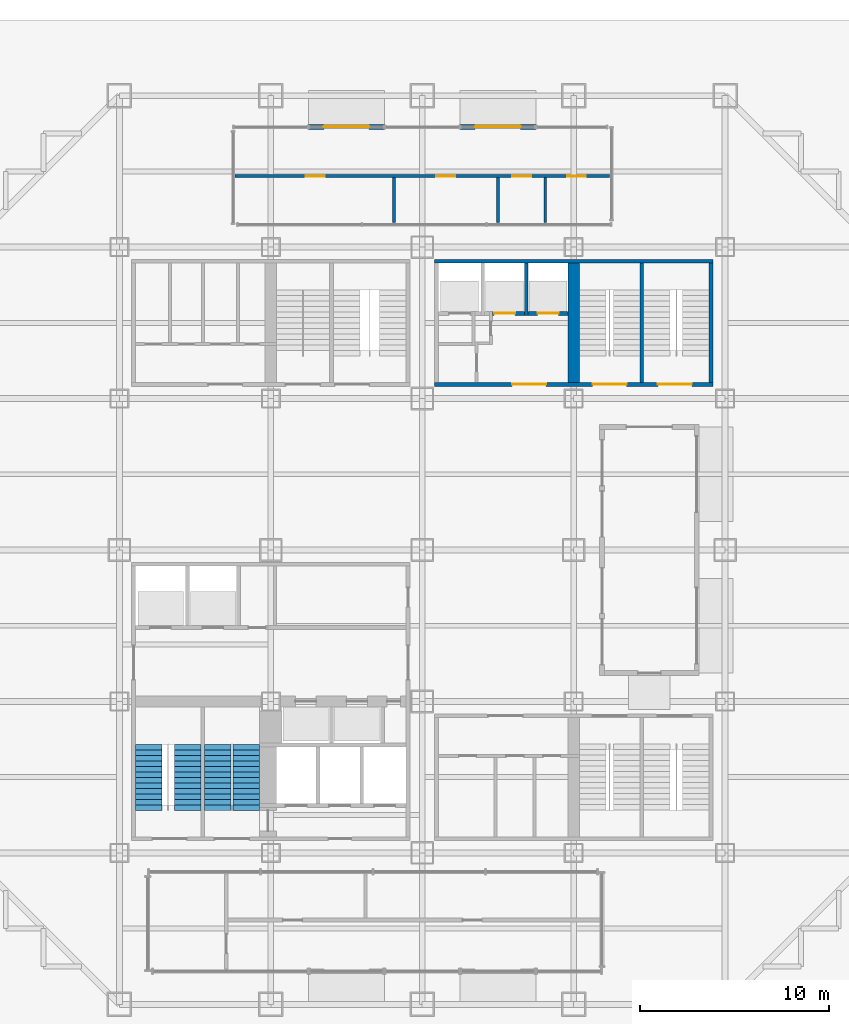
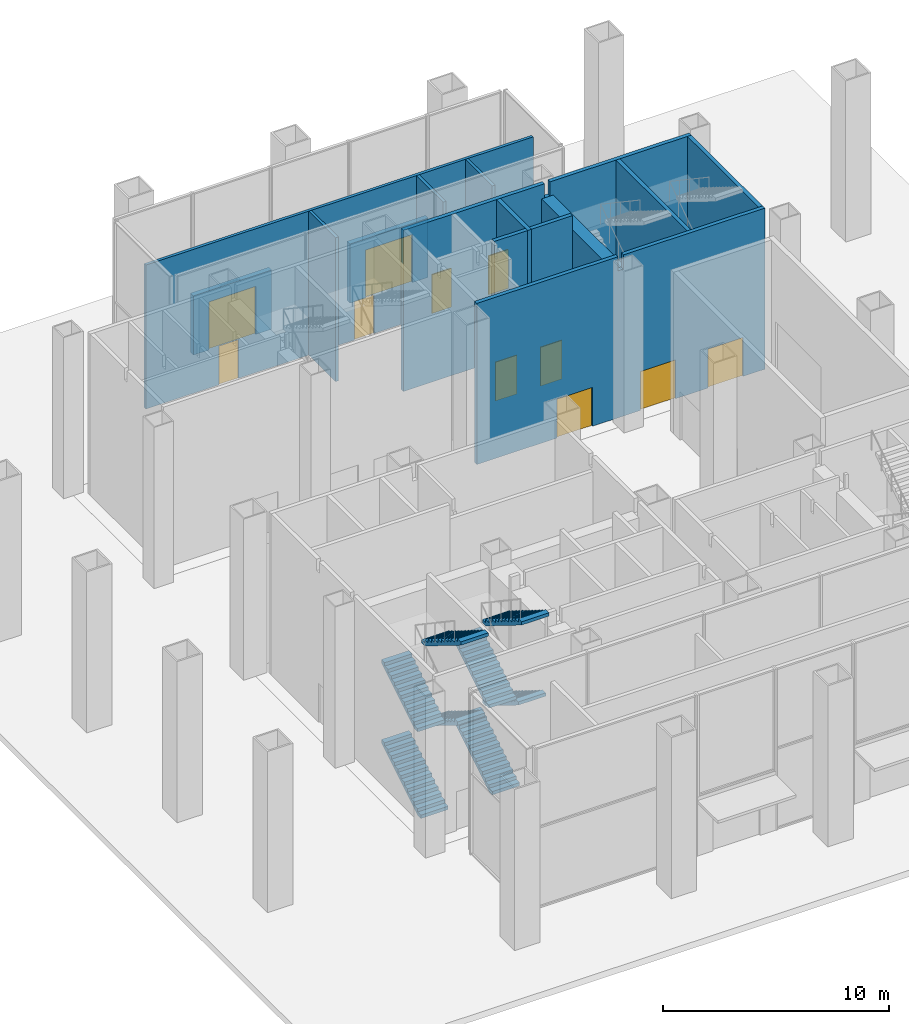
# One storey, part 10 of 14: 14 walls, 11 doors, 8 stair flights, 11 openings, 2 elements without a shape of their own.
"""IFC4 building model written with IfcOpenShell, lengths in metres."""

import ifcopenshell
import ifcopenshell.guid

model = None  # the IFC model being written
_history = None  # IfcOwnerHistory: only IFC2X3 demands one
_inside = {}  # id of a spatial element -> (the spatial element, [elements in it])
_under = {}  # id of a project, library or spatial element -> (it, [spatial elements below it])
_declared = {}  # id of a project -> (the project, [libraries it declares])
_typed = {}  # id of a type object -> (the type object, [elements of that type])
_made_of = {}  # id of a material, layer set ... -> (it, [elements and type objects made of it])


def new_model(schema):
    """Start an empty IFC model of exactly this schema.

    Asked for "IFC4X3", IfcOpenShell would pick the latest addendum, in which some entities
    have other attributes; the version numbers below select the first issue.
    IFC2X3 requires an IfcOwnerHistory on every rooted entity: one is made here for all.
    """
    global model, _history
    if schema == "IFC4X3":
        model = ifcopenshell.file(schema_version=(4, 3, 0, 0))
    else:
        model = ifcopenshell.file(schema=schema)
    _inside.clear()
    _under.clear()
    _declared.clear()
    _typed.clear()
    _made_of.clear()
    _history = None
    if model.schema == "IFC2X3":
        org = make("IfcOrganization", Name="unknown")
        user = make(
            "IfcPersonAndOrganization",
            ThePerson=make("IfcPerson", FamilyName="unknown"),
            TheOrganization=org,
        )
        app = make(
            "IfcApplication",
            ApplicationDeveloper=org,
            Version="unknown",
            ApplicationFullName="unknown",
            ApplicationIdentifier="unknown",
        )
        _history = make(
            "IfcOwnerHistory",
            OwningUser=user,
            OwningApplication=app,
            ChangeAction="ADDED",
            CreationDate=0,
        )
    return model


def make(cls, **values):
    """One entity of the class cls with the attributes given. An attribute that is None is left unset."""
    return model.create_entity(
        cls, **{name: value for name, value in values.items() if value is not None}
    )


def rooted(cls, **values):
    """An entity with a GlobalId (a new one), such as an element, a storey or a relation."""
    return make(cls, GlobalId=ifcopenshell.guid.new(), OwnerHistory=_history, **values)


def si_unit(unit_type, name, prefix=None):
    """IfcSIUnit, for example si_unit("LENGTHUNIT", "METRE", prefix="MILLI")."""
    return make("IfcSIUnit", UnitType=unit_type, Prefix=prefix, Name=name)


def assignment(units):
    """IfcUnitAssignment: the units of a project."""
    return None if units is None else make("IfcUnitAssignment", Units=units)


def point(xyz):
    """IfcCartesianPoint."""
    return None if xyz is None else make("IfcCartesianPoint", Coordinates=xyz)


def direction(xyz):
    """IfcDirection."""
    return None if xyz is None else make("IfcDirection", DirectionRatios=xyz)


def frame(location, z_axis=None, x_axis=None):
    """IfcAxis2Placement3D, a coordinate frame: its origin and axes. An axis left out is left unset."""
    return make(
        "IfcAxis2Placement3D",
        Location=point(location),
        Axis=direction(z_axis),
        RefDirection=direction(x_axis),
    )


def frame_2d(location, x_axis=None):
    """IfcAxis2Placement2D, a coordinate frame in the plane: its origin and x axis."""
    return make(
        "IfcAxis2Placement2D", Location=point(location), RefDirection=direction(x_axis)
    )


def origin():
    """The frame at (0, 0, 0) with its axes left unset."""
    return frame((0.0, 0.0, 0.0))


def place(relative_to, where):
    """IfcLocalPlacement: puts the frame where relative to a parent placement (None: the world)."""
    return make(
        "IfcLocalPlacement", PlacementRelTo=relative_to, RelativePlacement=where
    )


def context(
    kind, dimensions, precision=None, world=None, true_north=None, identifier=None
):
    """IfcGeometricRepresentationContext, for example the 3D "Model" context."""
    return make(
        "IfcGeometricRepresentationContext",
        ContextIdentifier=identifier,
        ContextType=kind,
        CoordinateSpaceDimension=dimensions,
        Precision=precision,
        WorldCoordinateSystem=world,
        TrueNorth=true_north,
    )


def subcontext(parent, identifier, kind, view, scale=None):
    """IfcGeometricRepresentationSubContext, for example "Body" below "Model"."""
    return make(
        "IfcGeometricRepresentationSubContext",
        ContextIdentifier=identifier,
        ContextType=kind,
        ParentContext=parent,
        TargetScale=scale,
        TargetView=view,
    )


def project(units=None, contexts=None):
    """IfcProject with its units and contexts."""
    return rooted(
        "IfcProject",
        Name="project",
        RepresentationContexts=contexts,
        UnitsInContext=assignment(units),
    )


def spatial(cls, under=None, at=None, **own):
    """A site, building, storey or space (cls), placed at a placement, below another one or the project."""
    s = rooted(cls, ObjectPlacement=at, **own)
    if under is not None:
        _under.setdefault(under.id(), (under, []))[1].append(s)
    return s


def polyline(points):
    """IfcPolyline through the points."""
    return make("IfcPolyline", Points=[point(p) for p in points])


def profile(cls, at=None, kind="AREA", **sizes):
    """A parametric profile (cls). Its sizes go by their IFC names, for example OverallWidth=200.0."""
    return make(cls, ProfileType=kind, Position=at, **sizes)


def rectangle(**sizes):
    """IfcRectangleProfileDef."""
    return profile("IfcRectangleProfileDef", **sizes)


def outline(outer, holes=None, kind="AREA"):
    """IfcArbitraryClosedProfileDef: a profile drawn as a closed curve; with holes, ...WithVoids."""
    if holes is None:
        return make("IfcArbitraryClosedProfileDef", ProfileType=kind, OuterCurve=outer)
    return make(
        "IfcArbitraryProfileDefWithVoids",
        ProfileType=kind,
        OuterCurve=outer,
        InnerCurves=holes,
    )


def extrude(swept, where, along, depth):
    """IfcExtrudedAreaSolid: the profile swept, set in the frame where, extruded along a direction by depth."""
    return make(
        "IfcExtrudedAreaSolid",
        SweptArea=swept,
        Position=where,
        ExtrudedDirection=direction(along),
        Depth=depth,
    )


def shape(context_of_items, identifier, shape_type, items):
    """IfcShapeRepresentation: the items that make up one representation, for example the "Body"."""
    return make(
        "IfcShapeRepresentation",
        ContextOfItems=context_of_items,
        RepresentationIdentifier=identifier,
        RepresentationType=shape_type,
        Items=items,
    )


def material(Name=None, Category=None):
    """IfcMaterial."""
    return make("IfcMaterial", Name=Name, Category=Category)


def layer(
    of_material, thickness, ventilated=None, Name=None, Category=None, Priority=None
):
    """IfcMaterialLayer: one layer of a wall or slab, of a material (None: an air gap)."""
    return make(
        "IfcMaterialLayer",
        Material=of_material,
        LayerThickness=thickness,
        IsVentilated=ventilated,
        Name=Name,
        Category=Category,
        Priority=Priority,
    )


def layer_set(layers, Name=None):
    """IfcMaterialLayerSet."""
    return make("IfcMaterialLayerSet", MaterialLayers=layers, LayerSetName=Name)


def made_of(thing, what):
    """Note that an element or type object is made of a material, layer set ...; save() writes the relation."""
    if what is not None:
        _made_of.setdefault(what.id(), (what, []))[1].append(thing)
    return thing


def type_object(cls, material=None, **own):
    """A type object (cls), such as IfcWallType, which elements share."""
    return made_of(rooted(cls, **own), material)


def element(
    cls,
    number,
    at=None,
    inside=None,
    cuts=None,
    type_object=None,
    material=None,
    context=None,
    identifier="Body",
    shape_type=None,
    held_by="IfcProductDefinitionShape",
    body=None,
    shapes=None,
    **own,
):
    """One element of the class cls, such as IfcWall. Its Tag is "e" and its number.

    at: its placement. inside: the storey or other place that contains it. cuts: it is an
    opening in that element (IfcRelVoidsElement). A single representation is given by context,
    identifier, shape_type and body (its items); several are given by shapes. held_by: the class
    of the entity that holds the representations. save() writes the other relations.
    """
    e = rooted(cls, Tag="e%d" % number, ObjectPlacement=at, **own)
    if body is not None:
        shapes = [shape(context, identifier, shape_type, body)]
    if shapes is not None:
        e.Representation = make(held_by, Representations=shapes)
    if inside is not None:
        _inside.setdefault(inside.id(), (inside, []))[1].append(e)
    if cuts is not None:
        rooted(
            "IfcRelVoidsElement", RelatingBuildingElement=cuts, RelatedOpeningElement=e
        )
    if type_object is not None:
        _typed.setdefault(type_object.id(), (type_object, []))[1].append(e)
    return made_of(e, material)


def fill(opening, filler):
    """IfcRelFillsElement: the door or window that sits in an opening."""
    return rooted(
        "IfcRelFillsElement",
        RelatingOpeningElement=opening,
        RelatedBuildingElement=filler,
    )


def aggregate(whole, parts):
    """IfcRelAggregates: a whole, such as a stair, and the parts it consists of."""
    return rooted("IfcRelAggregates", RelatingObject=whole, RelatedObjects=parts)


def save(model, path):
    """Write the relations noted so far, then the file.

    IfcRelAggregates (storeys below a building ...), IfcRelContainedInSpatialStructure (elements
    in a storey), IfcRelDefinesByType, IfcRelAssociatesMaterial and IfcRelDeclares: one each for
    every whole, place, type object, material and project.
    """
    for whole, parts in _under.values():
        aggregate(whole, parts)
    for where, things in _inside.values():
        rooted(
            "IfcRelContainedInSpatialStructure",
            RelatedElements=things,
            RelatingStructure=where,
        )
    for kind, things in _typed.values():
        rooted("IfcRelDefinesByType", RelatedObjects=things, RelatingType=kind)
    for what, things in _made_of.values():
        rooted("IfcRelAssociatesMaterial", RelatedObjects=things, RelatingMaterial=what)
    for by, libraries in _declared.values():
        rooted("IfcRelDeclares", RelatingContext=by, RelatedDefinitions=libraries)
    model.write(path)


model = new_model("IFC4")

# Units and contexts
model_context = context("Model", 3, precision=1e-05, world=origin(), true_north=direction((0.0, 1.0)))
body_context = subcontext(model_context, "Body", "Model", "MODEL_VIEW")
ifc_project = project(units=[si_unit("LENGTHUNIT", "METRE"), si_unit("AREAUNIT", "SQUARE_METRE"), si_unit("VOLUMEUNIT", "CUBIC_METRE"), si_unit("PLANEANGLEUNIT", "RADIAN"), si_unit("MASSUNIT", "GRAM", prefix="KILO")], contexts=[model_context])

# Site, building, storey
site_placement = place(None, origin())
site = spatial("IfcSite", under=ifc_project, at=site_placement, CompositionType="ELEMENT")
building_placement = place(site_placement, origin())
building = spatial("IfcBuilding", under=site, at=building_placement, Name="Immortelle Media Tower", CompositionType="ELEMENT")
storey_placement = place(building_placement, origin())
storey = spatial("IfcBuildingStorey", under=building, at=storey_placement, Name="G", CompositionType="ELEMENT", Elevation=0.0)

# Wall, opening, door
ifc_material_1 = material(Name="Fire-rated gypsum board", Category="gypsum")
ifc_layer_1 = layer(ifc_material_1, 0.03759765625)
ifc_material_2 = material(Name="Steel ASTM A653 SS Gr 50 stud frame with mineral wool", Category="steel")
ifc_layer_2 = layer(ifc_material_2, 0.125)
ifc_layer_3 = layer(ifc_material_1, 0.03759765625)
ifc_layer_set_1 = layer_set([ifc_layer_1, ifc_layer_2, ifc_layer_3], Name="Steel ASTM A653 SS Gr 50 stud frame with mineral wool")
wall_type_1 = type_object("IfcWallType", Name="Core shaft wall 200", PredefinedType="PARTITIONING", material=ifc_layer_set_1)
wall_1_placement = place(storey_placement, frame((27.699951171875, 36.5, 0.0), z_axis=(0.0, 0.0, 1.0), x_axis=(1.0, 0.0, 0.0)))
wall_1 = element("IfcWall", 1, at=wall_1_placement, inside=storey, type_object=wall_type_1, Name="Core shaft wall NE", PredefinedType="PARTITIONING", context=body_context, shape_type="SweptSolid", body=[
    extrude(rectangle(XDim=1.699951171875, YDim=0.199951171875, at=frame_2d((0.85009765625, 0.0))), origin(), (0.0, 0.0, 1.0), 8.699951171875),
])
opening_1_placement = place(wall_1_placement, frame((0.10009765625, 0.0, 0.0)))
opening_1 = element("IfcOpeningElement", 2, at=opening_1_placement, cuts=wall_1, Name="Opening LD", PredefinedType="OPENING", context=body_context, shape_type="SweptSolid", body=[
    extrude(rectangle(XDim=1.10009765625, YDim=2.10009765625, at=frame_2d((0.550048828125, 1.050048828125))), frame((0.0, 0.10986328125, 0.0), z_axis=(0.0, -1.0, 0.0), x_axis=(1.0, 0.0, 0.0)), (0.0, 0.0, 1.0), 0.219970703125),
])
ifc_material_3 = material(Name="Stainless steel AISI 304", Category="steel")
door_type_1 = type_object("IfcDoorType", Name="Landing door 1100 x 2100", OperationType="SLIDING_TO_LEFT", PredefinedType="NOTDEFINED", material=ifc_material_3)
door_1_placement = place(opening_1_placement, origin())
door_1 = element("IfcDoor", 3, at=door_1_placement, inside=storey, type_object=door_type_1, Name="Landing door LR2 G", OperationType="SLIDING_TO_LEFT", OverallHeight=2.10009765625, OverallWidth=1.10009765625, PredefinedType="NOTDEFINED", context=body_context, shape_type="SweptSolid", body=[
    extrude(rectangle(XDim=1.10009765625, YDim=2.10009765625, at=frame_2d((0.550048828125, 1.050048828125))), frame((0.0, 0.02490234375, 0.0), z_axis=(0.0, -1.0, 0.0), x_axis=(1.0, 0.0, 0.0)), (0.0, 0.0, 1.0), 0.050048828125),
])
fill(opening_1, door_1)

# Wall
wall_2_placement = place(storey_placement, frame((29.5, 36.39990234375, 0.0), z_axis=(0.0, 0.0, 1.0), x_axis=(0.0, 1.0, 0.0)))
element("IfcWall", 4, at=wall_2_placement, inside=storey, type_object=wall_type_1, Name="Core shaft wall NE", PredefinedType="PARTITIONING", context=body_context, shape_type="SweptSolid", body=[
    extrude(rectangle(XDim=2.75, YDim=0.199951171875, at=frame_2d((1.375, 0.0))), origin(), (0.0, 0.0, 1.0), 8.699951171875),
])

# Wall, opening, door
wall_3_placement = place(storey_placement, frame((29.60009765625, 36.5, 0.0), z_axis=(0.0, 0.0, 1.0), x_axis=(1.0, 0.0, 0.0)))
wall_3 = element("IfcWall", 5, at=wall_3_placement, inside=storey, type_object=wall_type_1, Name="Core shaft wall NE", PredefinedType="PARTITIONING", context=body_context, shape_type="SweptSolid", body=[
    extrude(rectangle(XDim=2.099853515625, YDim=0.199951171875, at=frame_2d((1.0498046875, 0.0))), origin(), (0.0, 0.0, 1.0), 8.699951171875),
])
opening_2_placement = place(wall_3_placement, frame((0.5, 0.0, 0.0)))
opening_2 = element("IfcOpeningElement", 6, at=opening_2_placement, cuts=wall_3, Name="Opening LD", PredefinedType="OPENING", context=body_context, shape_type="SweptSolid", body=[
    extrude(rectangle(XDim=1.10009765625, YDim=2.10009765625, at=frame_2d((0.550048828125, 1.050048828125))), frame((0.0, 0.10986328125, 0.0), z_axis=(0.0, -1.0, 0.0), x_axis=(1.0, 0.0, 0.0)), (0.0, 0.0, 1.0), 0.219970703125),
])
door_2_placement = place(opening_2_placement, origin())
door_2 = element("IfcDoor", 7, at=door_2_placement, inside=storey, type_object=door_type_1, Name="Landing door LR3 G", OperationType="SLIDING_TO_LEFT", OverallHeight=2.10009765625, OverallWidth=1.10009765625, PredefinedType="NOTDEFINED", context=body_context, shape_type="SweptSolid", body=[
    extrude(rectangle(XDim=1.10009765625, YDim=2.10009765625, at=frame_2d((0.550048828125, 1.050048828125))), frame((0.0, 0.02490234375, 0.0), z_axis=(0.0, -1.0, 0.0), x_axis=(1.0, 0.0, 0.0)), (0.0, 0.0, 1.0), 0.050048828125),
])
fill(opening_2, door_2)

# Wall, openings, doors
ifc_material_4 = material(Name="Gypsum board", Category="gypsum")
ifc_layer_4 = layer(ifc_material_4, 0.012451171875)
ifc_layer_5 = layer(ifc_material_2, 0.125)
ifc_layer_6 = layer(ifc_material_4, 0.012451171875)
ifc_layer_set_2 = layer_set([ifc_layer_4, ifc_layer_5, ifc_layer_6], Name="Steel ASTM A653 SS Gr 50 stud frame with mineral wool")
wall_type_2 = type_object("IfcWallType", Name="Partition 150", PredefinedType="PARTITIONING", material=ifc_layer_set_2)
wall_4_placement = place(storey_placement, frame((14.10498046875, 43.75, 0.0), z_axis=(0.0, 0.0, 1.0), x_axis=(1.0, 0.0, 0.0)))
wall_4 = element("IfcWall", 8, at=wall_4_placement, inside=storey, type_object=wall_type_2, Name="Partition G-3", PredefinedType="PARTITIONING", context=body_context, shape_type="SweptSolid", body=[
    extrude(rectangle(XDim=19.7900390625, YDim=0.14990234375, at=frame_2d((9.89501953125, 0.0))), origin(), (0.0, 0.0, 1.0), 7.77294921875),
])
opening_3_placement = place(wall_4_placement, frame((4.7451171875, 0.0, 0.0), z_axis=(0.0, 0.0, 1.0), x_axis=(-1.0, 0.0, 0.0)))
opening_3 = element("IfcOpeningElement", 9, at=opening_3_placement, cuts=wall_4, Name="Opening G-X04", PredefinedType="OPENING", context=body_context, shape_type="SweptSolid", body=[
    extrude(rectangle(XDim=1.0, YDim=2.10009765625, at=frame_2d((0.5, 1.050048828125))), frame((0.0, 0.0849609375, 0.0), z_axis=(0.0, -1.0, 0.0), x_axis=(1.0, 0.0, 0.0)), (0.0, 0.0, 1.0), 0.169921875),
])
opening_4_placement = place(wall_4_placement, frame((11.64501953125, 0.0, 0.0), z_axis=(0.0, 0.0, 1.0), x_axis=(-1.0, 0.0, 0.0)))
opening_4 = element("IfcOpeningElement", 10, at=opening_4_placement, cuts=wall_4, Name="Opening G-X05", PredefinedType="OPENING", context=body_context, shape_type="SweptSolid", body=[
    extrude(rectangle(XDim=1.0, YDim=2.10009765625, at=frame_2d((0.5, 1.050048828125))), frame((0.0, 0.0849609375, 0.0), z_axis=(0.0, -1.0, 0.0), x_axis=(1.0, 0.0, 0.0)), (0.0, 0.0, 1.0), 0.169921875),
])
opening_5_placement = place(wall_4_placement, frame((14.64501953125, 0.0, 0.0)))
opening_5 = element("IfcOpeningElement", 11, at=opening_5_placement, cuts=wall_4, Name="Opening G-X06", PredefinedType="OPENING", context=body_context, shape_type="SweptSolid", body=[
    extrude(rectangle(XDim=1.0, YDim=2.10009765625, at=frame_2d((0.5, 1.050048828125))), frame((0.0, 0.0849609375, 0.0), z_axis=(0.0, -1.0, 0.0), x_axis=(1.0, 0.0, 0.0)), (0.0, 0.0, 1.0), 0.169921875),
])
opening_6_placement = place(wall_4_placement, frame((18.544921875, 0.0, 0.0), z_axis=(0.0, 0.0, 1.0), x_axis=(-1.0, 0.0, 0.0)))
opening_6 = element("IfcOpeningElement", 12, at=opening_6_placement, cuts=wall_4, Name="Opening G-X07", PredefinedType="OPENING", context=body_context, shape_type="SweptSolid", body=[
    extrude(rectangle(XDim=1.0, YDim=2.10009765625, at=frame_2d((0.5, 1.050048828125))), frame((0.0, 0.0849609375, 0.0), z_axis=(0.0, -1.0, 0.0), x_axis=(1.0, 0.0, 0.0)), (0.0, 0.0, 1.0), 0.169921875),
])
ifc_material_5 = material(Name="Timber door leaf, galvanised steel frame ASTM A653", Category="steel")
door_type_2 = type_object("IfcDoorType", Name="Door 1000 x 2100", OperationType="NOTDEFINED", PredefinedType="DOOR", material=ifc_material_5)
door_3_placement = place(opening_3_placement, origin())
door_3 = element("IfcDoor", 13, at=door_3_placement, inside=storey, type_object=door_type_2, Name="Door G-X04", OperationType="SINGLE_SWING_LEFT", OverallHeight=2.10009765625, OverallWidth=1.0, PredefinedType="DOOR", context=body_context, shape_type="SweptSolid", body=[
    extrude(rectangle(XDim=1.0, YDim=2.10009765625, at=frame_2d((0.5, 1.050048828125))), frame((0.0, 0.02490234375, 0.0), z_axis=(0.0, -1.0, 0.0), x_axis=(1.0, 0.0, 0.0)), (0.0, 0.0, 1.0), 0.050048828125),
])
fill(opening_3, door_3)
door_4_placement = place(opening_4_placement, origin())
door_4 = element("IfcDoor", 14, at=door_4_placement, inside=storey, type_object=door_type_2, Name="Door G-X05", OperationType="SINGLE_SWING_LEFT", OverallHeight=2.10009765625, OverallWidth=1.0, PredefinedType="DOOR", context=body_context, shape_type="SweptSolid", body=[
    extrude(rectangle(XDim=1.0, YDim=2.10009765625, at=frame_2d((0.5, 1.050048828125))), frame((0.0, 0.02490234375, 0.0), z_axis=(0.0, -1.0, 0.0), x_axis=(1.0, 0.0, 0.0)), (0.0, 0.0, 1.0), 0.050048828125),
])
fill(opening_4, door_4)
door_5_placement = place(opening_5_placement, origin())
door_5 = element("IfcDoor", 15, at=door_5_placement, inside=storey, type_object=door_type_2, Name="Door G-X06", OperationType="SINGLE_SWING_RIGHT", OverallHeight=2.10009765625, OverallWidth=1.0, PredefinedType="DOOR", context=body_context, shape_type="SweptSolid", body=[
    extrude(rectangle(XDim=1.0, YDim=2.10009765625, at=frame_2d((0.5, 1.050048828125))), frame((0.0, 0.02490234375, 0.0), z_axis=(0.0, -1.0, 0.0), x_axis=(1.0, 0.0, 0.0)), (0.0, 0.0, 1.0), 0.050048828125),
])
fill(opening_5, door_5)
door_6_placement = place(opening_6_placement, origin())
door_6 = element("IfcDoor", 16, at=door_6_placement, inside=storey, type_object=door_type_2, Name="Door G-X07", OperationType="SINGLE_SWING_RIGHT", OverallHeight=2.10009765625, OverallWidth=1.0, PredefinedType="DOOR", context=body_context, shape_type="SweptSolid", body=[
    extrude(rectangle(XDim=1.0, YDim=2.10009765625, at=frame_2d((0.5, 1.050048828125))), frame((0.0, 0.02490234375, 0.0), z_axis=(0.0, -1.0, 0.0), x_axis=(1.0, 0.0, 0.0)), (0.0, 0.0, 1.0), 0.050048828125),
])
fill(opening_6, door_6)

# Walls
for number, where, z_axis, x_axis, name in (
    (17, (22.5, 41.304931640625, 0.0), (0.0, 0.0, 1.0), (0.0, 1.0, 0.0), "Partition G-5"),
    (18, (28.0, 41.304931640625, 0.0), (0.0, 0.0, 1.0), (0.0, 1.0, 0.0), "Partition G-6"),
    (19, (30.5, 41.304931640625, 0.0), (0.0, 0.0, 1.0), (0.0, 1.0, 0.0), "Partition G-7"),
):
    element("IfcWall", number, at=place(storey_placement, frame(where, z_axis=z_axis, x_axis=x_axis)), inside=storey, type_object=wall_type_2, Name=name, PredefinedType="PARTITIONING", context=body_context, shape_type="SweptSolid", body=[
        extrude(rectangle(XDim=2.3701171875, YDim=0.14990234375, at=frame_2d((1.18505859375, 0.0))), origin(), (0.0, 0.0, 1.0), 7.77294921875),
    ])

# Wall, opening, door
ifc_material_6 = material(Name="Pale aluminium cladding panel", Category="aluminium")
ifc_layer_7 = layer(ifc_material_6, 0.030029296875)
ifc_layer_8 = layer(ifc_material_2, 0.20751953125)
ifc_material_7 = material(Name="Moisture-resistant gypsum board", Category="gypsum")
ifc_layer_9 = layer(ifc_material_7, 0.012451171875)
ifc_layer_set_3 = layer_set([ifc_layer_7, ifc_layer_8, ifc_layer_9], Name="Steel ASTM A653 SS Gr 50 stud frame with mineral wool")
wall_type_3 = type_object("IfcWallType", Name="Pavilion portal wall 250", PredefinedType="STANDARD", material=ifc_layer_set_3)
wall_5_placement = place(storey_placement, frame((30.0, 46.35009765625, 0.0), z_axis=(0.0, 0.0, 1.0), x_axis=(-1.0, 0.0, 0.0)))
wall_5 = element("IfcWall", 20, at=wall_5_placement, inside=storey, type_object=wall_type_3, Name="Shop portal wall G N 2-2", PredefinedType="STANDARD", context=body_context, shape_type="SweptSolid", body=[
    extrude(rectangle(XDim=4.0, YDim=0.25, at=frame_2d((2.0, 0.0))), origin(), (0.0, 0.0, 1.0), 3.199951171875),
])
opening_7_placement = place(wall_5_placement, frame((3.199951171875, 0.0, 0.0), z_axis=(0.0, 0.0, 1.0), x_axis=(-1.0, 0.0, 0.0)))
opening_7 = element("IfcOpeningElement", 21, at=opening_7_placement, cuts=wall_5, Name="Opening G-E03", PredefinedType="OPENING", context=body_context, shape_type="SweptSolid", body=[
    extrude(rectangle(XDim=2.39990234375, YDim=2.60009765625, at=frame_2d((1.199951171875, 1.300048828125))), frame((0.0, 0.135009765625, 0.0), z_axis=(0.0, -1.0, 0.0), x_axis=(1.0, 0.0, 0.0)), (0.0, 0.0, 1.0), 0.27001953125),
])
ifc_material_8 = material(Name="Aluminium frame, toughened glass", Category="aluminium")
door_type_3 = type_object("IfcDoorType", Name="Automatic sliding entrance door 2400", OperationType="DOUBLE_DOOR_SLIDING", PredefinedType="DOOR", material=ifc_material_8)
door_7_placement = place(opening_7_placement, origin())
door_7 = element("IfcDoor", 22, at=door_7_placement, inside=storey, type_object=door_type_3, Name="Entrance door G-E03", OperationType="DOUBLE_DOOR_SLIDING", OverallHeight=2.60009765625, OverallWidth=2.39990234375, PredefinedType="DOOR", context=body_context, shape_type="SweptSolid", body=[
    extrude(rectangle(XDim=2.39990234375, YDim=2.60009765625, at=frame_2d((1.199951171875, 1.300048828125))), frame((0.0, 0.02490234375, 0.0), z_axis=(0.0, -1.0, 0.0), x_axis=(1.0, 0.0, 0.0)), (0.0, 0.0, 1.0), 0.050048828125),
])
fill(opening_7, door_7)

wall_6_placement = place(storey_placement, frame((22.0, 46.35009765625, 0.0), z_axis=(0.0, 0.0, 1.0), x_axis=(-1.0, 0.0, 0.0)))
wall_6 = element("IfcWall", 23, at=wall_6_placement, inside=storey, type_object=wall_type_3, Name="Shop portal wall G N 2-4", PredefinedType="STANDARD", context=body_context, shape_type="SweptSolid", body=[
    extrude(rectangle(XDim=4.0, YDim=0.25, at=frame_2d((2.0, 0.0))), origin(), (0.0, 0.0, 1.0), 3.199951171875),
])
opening_8_placement = place(wall_6_placement, frame((3.199951171875, 0.0, 0.0), z_axis=(0.0, 0.0, 1.0), x_axis=(-1.0, 0.0, 0.0)))
opening_8 = element("IfcOpeningElement", 24, at=opening_8_placement, cuts=wall_6, Name="Opening G-E04", PredefinedType="OPENING", context=body_context, shape_type="SweptSolid", body=[
    extrude(rectangle(XDim=2.39990234375, YDim=2.60009765625, at=frame_2d((1.199951171875, 1.300048828125))), frame((0.0, 0.135009765625, 0.0), z_axis=(0.0, -1.0, 0.0), x_axis=(1.0, 0.0, 0.0)), (0.0, 0.0, 1.0), 0.27001953125),
])
door_8_placement = place(opening_8_placement, origin())
door_8 = element("IfcDoor", 25, at=door_8_placement, inside=storey, type_object=door_type_3, Name="Entrance door G-E04", OperationType="DOUBLE_DOOR_SLIDING", OverallHeight=2.60009765625, OverallWidth=2.39990234375, PredefinedType="DOOR", context=body_context, shape_type="SweptSolid", body=[
    extrude(rectangle(XDim=2.39990234375, YDim=2.60009765625, at=frame_2d((1.199951171875, 1.300048828125))), frame((0.0, 0.02490234375, 0.0), z_axis=(0.0, -1.0, 0.0), x_axis=(1.0, 0.0, 0.0)), (0.0, 0.0, 1.0), 0.050048828125),
])
fill(opening_8, door_8)

# Wall, openings, doors
ifc_material_9 = material(Name="Concrete C60", Category="concrete")
ifc_layer_10 = layer(ifc_material_9, 0.199951171875)
ifc_layer_set_4 = layer_set([ifc_layer_10], Name="Concrete C60")
wall_type_4 = type_object("IfcWallType", Name="Stair shaft wall 200", PredefinedType="PARTITIONING", material=ifc_layer_set_4)
wall_7_placement = place(storey_placement, frame((24.64990234375, 32.75, 0.0), z_axis=(0.0, 0.0, 1.0), x_axis=(1.0, 0.0, 0.0)))
wall_7 = element("IfcWall", 26, at=wall_7_placement, inside=storey, type_object=wall_type_4, Name="Stair shaft wall NE", PredefinedType="PARTITIONING", context=body_context, shape_type="SweptSolid", body=[
    extrude(outline(polyline([(0.0, 0.0), (14.7001953125, 0.0), (14.699951171875, 8.699951171875), (7.488525390625, 8.699951171875), (7.487548828125, 7.931884765625), (7.21240234375, 7.931884765625), (7.21142578125, 8.699951171875), (0.0, 8.699951171875), (0.0, 0.0)])), frame((0.0, 0.10009765625, 0.0), z_axis=(0.0, -1.0, 0.0), x_axis=(1.0, 0.0, 0.0)), (0.0, 0.0, 1.0), 0.199951171875),
])
opening_9_placement = place(wall_7_placement, frame((4.10009765625, 0.0, 0.0)))
opening_9 = element("IfcOpeningElement", 27, at=opening_9_placement, cuts=wall_7, Name="Opening G-K034", PredefinedType="OPENING", context=body_context, shape_type="SweptSolid", body=[
    extrude(rectangle(XDim=1.800048828125, YDim=2.10009765625, at=frame_2d((0.89990234375, 1.050048828125))), frame((0.0, 0.10986328125, 0.0), z_axis=(0.0, -1.0, 0.0), x_axis=(1.0, 0.0, 0.0)), (0.0, 0.0, 1.0), 0.219970703125),
])
opening_10_placement = place(wall_7_placement, frame((10.150146484375, 0.0, 0.0), z_axis=(0.0, 0.0, 1.0), x_axis=(-1.0, 0.0, 0.0)))
opening_10 = element("IfcOpeningElement", 28, at=opening_10_placement, cuts=wall_7, Name="Opening G-K036", PredefinedType="OPENING", context=body_context, shape_type="SweptSolid", body=[
    extrude(rectangle(XDim=1.800048828125, YDim=2.10009765625, at=frame_2d((0.89990234375, 1.050048828125))), frame((0.0, 0.10986328125, 0.0), z_axis=(0.0, -1.0, 0.0), x_axis=(1.0, 0.0, 0.0)), (0.0, 0.0, 1.0), 0.219970703125),
])
opening_11_placement = place(wall_7_placement, frame((13.60009765625, 0.0, 0.0), z_axis=(0.0, 0.0, 1.0), x_axis=(-1.0, 0.0, 0.0)))
opening_11 = element("IfcOpeningElement", 29, at=opening_11_placement, cuts=wall_7, Name="Opening G-K037", PredefinedType="OPENING", context=body_context, shape_type="SweptSolid", body=[
    extrude(rectangle(XDim=1.800048828125, YDim=2.10009765625, at=frame_2d((0.89990234375, 1.050048828125))), frame((0.0, 0.10986328125, 0.0), z_axis=(0.0, -1.0, 0.0), x_axis=(1.0, 0.0, 0.0)), (0.0, 0.0, 1.0), 0.219970703125),
])
ifc_material_10 = material(Name="Galvanised steel door leaf and frame ASTM A653", Category="steel")
door_type_4 = type_object("IfcDoorType", Name="Lift lobby door 1800 x 2100", OperationType="DOUBLE_DOOR_SINGLE_SWING", PredefinedType="NOTDEFINED", material=ifc_material_10)
door_9_placement = place(opening_9_placement, origin())
door_9 = element("IfcDoor", 30, at=door_9_placement, inside=storey, type_object=door_type_4, Name="Lift lobby G-K034", OperationType="DOUBLE_DOOR_SINGLE_SWING", OverallHeight=2.10009765625, OverallWidth=1.800048828125, PredefinedType="NOTDEFINED", context=body_context, shape_type="SweptSolid", body=[
    extrude(rectangle(XDim=1.800048828125, YDim=2.10009765625, at=frame_2d((0.89990234375, 1.050048828125))), frame((0.0, 0.02490234375, 0.0), z_axis=(0.0, -1.0, 0.0), x_axis=(1.0, 0.0, 0.0)), (0.0, 0.0, 1.0), 0.050048828125),
])
fill(opening_9, door_9)
door_type_5 = type_object("IfcDoorType", Name="Stair exit door 1800 x 2100", OperationType="DOUBLE_DOOR_SINGLE_SWING", PredefinedType="NOTDEFINED", material=ifc_material_10)
door_10_placement = place(opening_10_placement, origin())
door_10 = element("IfcDoor", 31, at=door_10_placement, inside=storey, type_object=door_type_5, Name="Stair exit G-K036", OperationType="DOUBLE_DOOR_SINGLE_SWING", OverallHeight=2.10009765625, OverallWidth=1.800048828125, PredefinedType="NOTDEFINED", context=body_context, shape_type="SweptSolid", body=[
    extrude(rectangle(XDim=1.800048828125, YDim=2.10009765625, at=frame_2d((0.89990234375, 1.050048828125))), frame((0.0, 0.02490234375, 0.0), z_axis=(0.0, -1.0, 0.0), x_axis=(1.0, 0.0, 0.0)), (0.0, 0.0, 1.0), 0.050048828125),
])
fill(opening_10, door_10)
door_11_placement = place(opening_11_placement, origin())
door_11 = element("IfcDoor", 32, at=door_11_placement, inside=storey, type_object=door_type_5, Name="Stair exit G-K037", OperationType="DOUBLE_DOOR_SINGLE_SWING", OverallHeight=2.10009765625, OverallWidth=1.800048828125, PredefinedType="NOTDEFINED", context=body_context, shape_type="SweptSolid", body=[
    extrude(rectangle(XDim=1.800048828125, YDim=2.10009765625, at=frame_2d((0.89990234375, 1.050048828125))), frame((0.0, 0.02490234375, 0.0), z_axis=(0.0, -1.0, 0.0), x_axis=(1.0, 0.0, 0.0)), (0.0, 0.0, 1.0), 0.050048828125),
])
fill(opening_11, door_11)

# Walls
wall_8_placement = place(storey_placement, frame((24.64990234375, 39.25, 0.0), z_axis=(0.0, 0.0, 1.0), x_axis=(1.0, 0.0, 0.0)))
element("IfcWall", 33, at=wall_8_placement, inside=storey, type_object=wall_type_4, Name="Stair shaft wall NE", PredefinedType="PARTITIONING", context=body_context, shape_type="SweptSolid", body=[
    extrude(outline(polyline([(0.0, 0.0), (14.7001953125, 0.0), (14.699951171875, 8.699951171875), (7.488525390625, 8.699951171875), (7.487548828125, 7.931884765625), (7.21240234375, 7.931884765625), (7.21142578125, 8.699951171875), (0.0, 8.699951171875), (0.0, 0.0)])), frame((0.0, 0.10009765625, 0.0), z_axis=(0.0, -1.0, 0.0), x_axis=(1.0, 0.0, 0.0)), (0.0, 0.0, 1.0), 0.199951171875),
])
for number, where, z_axis, x_axis, name in (
    (34, (35.60009765625, 32.85009765625, 0.0), (0.0, 0.0, 1.0), (0.0, 1.0, 0.0), "Stair shaft wall NE"),
    (35, (39.25, 32.85009765625, 0.0), (0.0, 0.0, 1.0), (0.0, 1.0, 0.0), "Stair shaft wall NE"),
):
    element("IfcWall", number, at=place(storey_placement, frame(where, z_axis=z_axis, x_axis=x_axis)), inside=storey, type_object=wall_type_4, Name=name, PredefinedType="PARTITIONING", context=body_context, shape_type="SweptSolid", body=[
        extrude(rectangle(XDim=6.2998046875, YDim=0.199951171875, at=frame_2d((3.14990234375, 0.0))), origin(), (0.0, 0.0, 1.0), 8.699951171875),
    ])
ifc_layer_11 = layer(ifc_material_9, 0.60009765625)
ifc_layer_set_5 = layer_set([ifc_layer_11], Name="Concrete C60")
wall_type_5 = type_object("IfcWallType", Name="Stair shaft wall 600", PredefinedType="PARTITIONING", material=ifc_layer_set_5)
wall_9_placement = place(storey_placement, frame((32.0, 32.85009765625, 0.0), z_axis=(0.0, 0.0, 1.0), x_axis=(0.0, 1.0, 0.0)))
element("IfcWall", 36, at=wall_9_placement, inside=storey, type_object=wall_type_5, Name="Stair shaft wall NE", PredefinedType="PARTITIONING", context=body_context, shape_type="SweptSolid", body=[
    extrude(rectangle(XDim=6.2998046875, YDim=0.60009765625, at=frame_2d((3.14990234375, 0.0))), origin(), (0.0, 0.0, 1.0), 7.931884765625),
])

# Stair, stair flights
ifc_material_11 = material(Name="Steel ASTM A992 Gr 50", Category="steel")
stair_type = type_object("IfcStairType", Name="Stair with flights", PredefinedType="DOUBLE_RETURN_STAIR", material=ifc_material_11)
stair_1_placement = place(storey_placement, origin())
stair_1 = element("IfcStair", 37, at=stair_1_placement, inside=storey, type_object=stair_type, Name="Exit stair SW1", PredefinedType="DOUBLE_RETURN_STAIR")
stair_flight_type = type_object("IfcStairFlightType", Name="Stair flight 1400", PredefinedType="STRAIGHT", material=ifc_material_11)
stair_flight_1_placement = place(storey_placement, frame((9.550048828125, 10.25, 0.0), z_axis=(0.0, 0.0, 1.0), x_axis=(0.0, 1.0, 0.0)))
stair_flight_1 = element("IfcStairFlight", 38, at=stair_flight_1_placement, type_object=stair_flight_type, Name="ST SW1 flight 1", NumberOfRisers=13, NumberOfTreads=12, PredefinedType="STRAIGHT", RiserHeight=0.18, TreadLength=0.29, context=body_context, shape_type="SweptSolid", body=[
    extrude(outline(polyline([(0.0, 0.0), (0.0, 0.179931640625), (0.2900390625, 0.179931640625), (0.2900390625, 0.360107421875), (0.580078125, 0.360107421875), (0.580078125, 0.5400390625), (0.8701171875, 0.5400390625), (0.8701171875, 0.719970703125), (1.159912109375, 0.719970703125), (1.159912109375, 0.89990234375), (1.449951171875, 0.89990234375), (1.449951171875, 1.080078125), (1.739990234375, 1.080078125), (1.739990234375, 1.260009765625), (2.030029296875, 1.260009765625), (2.030029296875, 1.43994140625), (2.320068359375, 1.43994140625), (2.320068359375, 1.6201171875), (2.610107421875, 1.6201171875), (2.610107421875, 1.800048828125), (2.89990234375, 1.800048828125), (2.89990234375, 1.97998046875), (3.18994140625, 1.97998046875), (3.18994140625, 2.159912109375), (3.47998046875, 2.159912109375), (3.47998046875, 2.340087890625), (3.47998046875, 1.983642578125), (0.2841796875, 0.0), (0.0, 0.0)])), frame((0.0, 0.699951171875, 0.0), z_axis=(0.0, -1.0, 0.0), x_axis=(1.0, 0.0, 0.0)), (0.0, 0.0, 1.0), 1.39990234375),
])
stair_flight_2_placement = place(storey_placement, frame((11.60009765625, 13.72998046875, 2.340087890625), z_axis=(0.0, 0.0, 1.0), x_axis=(0.0, -1.0, 0.0)))
stair_flight_2 = element("IfcStairFlight", 39, at=stair_flight_2_placement, type_object=stair_flight_type, Name="ST SW1 flight 2", NumberOfRisers=12, NumberOfTreads=11, PredefinedType="STRAIGHT", RiserHeight=0.18, TreadLength=0.29, context=body_context, shape_type="SweptSolid", body=[
    extrude(outline(polyline([(0.0, 0.0), (0.0, 0.179931640625), (0.2900390625, 0.179931640625), (0.2900390625, 0.360107421875), (0.580078125, 0.360107421875), (0.580078125, 0.5400390625), (0.8701171875, 0.5400390625), (0.8701171875, 0.719970703125), (1.159912109375, 0.719970703125), (1.159912109375, 0.89990234375), (1.449951171875, 0.89990234375), (1.449951171875, 1.080078125), (1.739990234375, 1.080078125), (1.739990234375, 1.260009765625), (2.030029296875, 1.260009765625), (2.030029296875, 1.43994140625), (2.320068359375, 1.43994140625), (2.320068359375, 1.6201171875), (2.610107421875, 1.6201171875), (2.610107421875, 1.800048828125), (2.89990234375, 1.800048828125), (2.89990234375, 1.97998046875), (3.18994140625, 1.97998046875), (3.18994140625, 2.159912109375), (3.18994140625, 1.803466796875), (0.2841796875, 0.0), (0.0, 0.0)])), frame((0.0, 0.699951171875, 0.0), z_axis=(0.0, -1.0, 0.0), x_axis=(1.0, 0.0, 0.0)), (0.0, 0.0, 1.0), 1.39990234375),
])
stair_flight_3_placement = place(storey_placement, frame((9.550048828125, 10.5400390625, 4.5), z_axis=(0.0, 0.0, 1.0), x_axis=(0.0, 1.0, 0.0)))
stair_flight_3 = element("IfcStairFlight", 40, at=stair_flight_3_placement, type_object=stair_flight_type, Name="ST SW1 flight 3", NumberOfRisers=12, NumberOfTreads=11, PredefinedType="STRAIGHT", RiserHeight=0.18, TreadLength=0.29, context=body_context, shape_type="SweptSolid", body=[
    extrude(outline(polyline([(0.0, 0.0), (0.0, 0.179931640625), (0.2900390625, 0.179931640625), (0.2900390625, 0.360107421875), (0.580078125, 0.360107421875), (0.580078125, 0.5400390625), (0.8701171875, 0.5400390625), (0.8701171875, 0.719970703125), (1.159912109375, 0.719970703125), (1.159912109375, 0.89990234375), (1.449951171875, 0.89990234375), (1.449951171875, 1.080078125), (1.739990234375, 1.080078125), (1.739990234375, 1.260009765625), (2.030029296875, 1.260009765625), (2.030029296875, 1.43994140625), (2.320068359375, 1.43994140625), (2.320068359375, 1.6201171875), (2.610107421875, 1.6201171875), (2.610107421875, 1.800048828125), (2.89990234375, 1.800048828125), (2.89990234375, 1.97998046875), (3.18994140625, 1.97998046875), (3.18994140625, 2.159912109375), (3.18994140625, 1.803466796875), (0.2841796875, 0.0), (0.0, 0.0)])), frame((0.0, 0.699951171875, 0.0), z_axis=(0.0, -1.0, 0.0), x_axis=(1.0, 0.0, 0.0)), (0.0, 0.0, 1.0), 1.39990234375),
])
stair_flight_4_placement = place(storey_placement, frame((11.60009765625, 13.72998046875, 6.659912109375), z_axis=(0.0, 0.0, 1.0), x_axis=(0.0, -1.0, 0.0)))
stair_flight_4 = element("IfcStairFlight", 41, at=stair_flight_4_placement, type_object=stair_flight_type, Name="ST SW1 flight 4", NumberOfRisers=13, NumberOfTreads=12, PredefinedType="STRAIGHT", RiserHeight=0.18, TreadLength=0.29, context=body_context, shape_type="SweptSolid", body=[
    extrude(outline(polyline([(0.0, 0.0), (0.0, 0.179931640625), (0.2900390625, 0.179931640625), (0.2900390625, 0.360107421875), (0.580078125, 0.360107421875), (0.580078125, 0.5400390625), (0.8701171875, 0.5400390625), (0.8701171875, 0.719970703125), (1.159912109375, 0.719970703125), (1.159912109375, 0.89990234375), (1.449951171875, 0.89990234375), (1.449951171875, 1.080078125), (1.739990234375, 1.080078125), (1.739990234375, 1.260009765625), (2.030029296875, 1.260009765625), (2.030029296875, 1.43994140625), (2.320068359375, 1.43994140625), (2.320068359375, 1.6201171875), (2.610107421875, 1.6201171875), (2.610107421875, 1.800048828125), (2.89990234375, 1.800048828125), (2.89990234375, 1.97998046875), (3.18994140625, 1.97998046875), (3.18994140625, 2.159912109375), (3.47998046875, 2.159912109375), (3.47998046875, 2.340087890625), (3.47998046875, 1.983642578125), (0.2841796875, 0.0), (0.0, 0.0)])), frame((0.0, 0.699951171875, 0.0), z_axis=(0.0, -1.0, 0.0), x_axis=(1.0, 0.0, 0.0)), (0.0, 0.0, 1.0), 1.39990234375),
])
aggregate(stair_1, [stair_flight_1, stair_flight_2, stair_flight_3, stair_flight_4])

stair_2_placement = place(storey_placement, origin())
stair_2 = element("IfcStair", 42, at=stair_2_placement, inside=storey, type_object=stair_type, Name="Exit stair SW2", PredefinedType="DOUBLE_RETURN_STAIR")
stair_flight_5_placement = place(storey_placement, frame((13.199951171875, 10.25, 0.0), z_axis=(0.0, 0.0, 1.0), x_axis=(0.0, 1.0, 0.0)))
stair_flight_5 = element("IfcStairFlight", 43, at=stair_flight_5_placement, type_object=stair_flight_type, Name="ST SW2 flight 1", NumberOfRisers=13, NumberOfTreads=12, PredefinedType="STRAIGHT", RiserHeight=0.18, TreadLength=0.29, context=body_context, shape_type="SweptSolid", body=[
    extrude(outline(polyline([(0.0, 0.0), (0.0, 0.179931640625), (0.2900390625, 0.179931640625), (0.2900390625, 0.360107421875), (0.580078125, 0.360107421875), (0.580078125, 0.5400390625), (0.8701171875, 0.5400390625), (0.8701171875, 0.719970703125), (1.159912109375, 0.719970703125), (1.159912109375, 0.89990234375), (1.449951171875, 0.89990234375), (1.449951171875, 1.080078125), (1.739990234375, 1.080078125), (1.739990234375, 1.260009765625), (2.030029296875, 1.260009765625), (2.030029296875, 1.43994140625), (2.320068359375, 1.43994140625), (2.320068359375, 1.6201171875), (2.610107421875, 1.6201171875), (2.610107421875, 1.800048828125), (2.89990234375, 1.800048828125), (2.89990234375, 1.97998046875), (3.18994140625, 1.97998046875), (3.18994140625, 2.159912109375), (3.47998046875, 2.159912109375), (3.47998046875, 2.340087890625), (3.47998046875, 1.983642578125), (0.2841796875, 0.0), (0.0, 0.0)])), frame((0.0, 0.699951171875, 0.0), z_axis=(0.0, -1.0, 0.0), x_axis=(1.0, 0.0, 0.0)), (0.0, 0.0, 1.0), 1.39990234375),
])
stair_flight_6_placement = place(storey_placement, frame((14.699951171875, 13.72998046875, 2.340087890625), z_axis=(0.0, 0.0, 1.0), x_axis=(0.0, -1.0, 0.0)))
stair_flight_6 = element("IfcStairFlight", 44, at=stair_flight_6_placement, type_object=stair_flight_type, Name="ST SW2 flight 2", NumberOfRisers=12, NumberOfTreads=11, PredefinedType="STRAIGHT", RiserHeight=0.18, TreadLength=0.29, context=body_context, shape_type="SweptSolid", body=[
    extrude(outline(polyline([(0.0, 0.0), (0.0, 0.179931640625), (0.2900390625, 0.179931640625), (0.2900390625, 0.360107421875), (0.580078125, 0.360107421875), (0.580078125, 0.5400390625), (0.8701171875, 0.5400390625), (0.8701171875, 0.719970703125), (1.159912109375, 0.719970703125), (1.159912109375, 0.89990234375), (1.449951171875, 0.89990234375), (1.449951171875, 1.080078125), (1.739990234375, 1.080078125), (1.739990234375, 1.260009765625), (2.030029296875, 1.260009765625), (2.030029296875, 1.43994140625), (2.320068359375, 1.43994140625), (2.320068359375, 1.6201171875), (2.610107421875, 1.6201171875), (2.610107421875, 1.800048828125), (2.89990234375, 1.800048828125), (2.89990234375, 1.97998046875), (3.18994140625, 1.97998046875), (3.18994140625, 2.159912109375), (3.18994140625, 1.803466796875), (0.2841796875, 0.0), (0.0, 0.0)])), frame((0.0, 0.699951171875, 0.0), z_axis=(0.0, -1.0, 0.0), x_axis=(1.0, 0.0, 0.0)), (0.0, 0.0, 1.0), 1.39990234375),
])
stair_flight_7_placement = place(storey_placement, frame((13.199951171875, 10.5400390625, 4.5), z_axis=(0.0, 0.0, 1.0), x_axis=(0.0, 1.0, 0.0)))
stair_flight_7 = element("IfcStairFlight", 45, at=stair_flight_7_placement, type_object=stair_flight_type, Name="ST SW2 flight 3", NumberOfRisers=12, NumberOfTreads=11, PredefinedType="STRAIGHT", RiserHeight=0.18, TreadLength=0.29, context=body_context, shape_type="SweptSolid", body=[
    extrude(outline(polyline([(0.0, 0.0), (0.0, 0.179931640625), (0.2900390625, 0.179931640625), (0.2900390625, 0.360107421875), (0.580078125, 0.360107421875), (0.580078125, 0.5400390625), (0.8701171875, 0.5400390625), (0.8701171875, 0.719970703125), (1.159912109375, 0.719970703125), (1.159912109375, 0.89990234375), (1.449951171875, 0.89990234375), (1.449951171875, 1.080078125), (1.739990234375, 1.080078125), (1.739990234375, 1.260009765625), (2.030029296875, 1.260009765625), (2.030029296875, 1.43994140625), (2.320068359375, 1.43994140625), (2.320068359375, 1.6201171875), (2.610107421875, 1.6201171875), (2.610107421875, 1.800048828125), (2.89990234375, 1.800048828125), (2.89990234375, 1.97998046875), (3.18994140625, 1.97998046875), (3.18994140625, 2.159912109375), (3.18994140625, 1.803466796875), (0.2841796875, 0.0), (0.0, 0.0)])), frame((0.0, 0.699951171875, 0.0), z_axis=(0.0, -1.0, 0.0), x_axis=(1.0, 0.0, 0.0)), (0.0, 0.0, 1.0), 1.39990234375),
])
stair_flight_8_placement = place(storey_placement, frame((14.699951171875, 13.72998046875, 6.659912109375), z_axis=(0.0, 0.0, 1.0), x_axis=(0.0, -1.0, 0.0)))
stair_flight_8 = element("IfcStairFlight", 46, at=stair_flight_8_placement, type_object=stair_flight_type, Name="ST SW2 flight 4", NumberOfRisers=13, NumberOfTreads=12, PredefinedType="STRAIGHT", RiserHeight=0.18, TreadLength=0.29, context=body_context, shape_type="SweptSolid", body=[
    extrude(outline(polyline([(0.0, 0.0), (0.0, 0.179931640625), (0.2900390625, 0.179931640625), (0.2900390625, 0.360107421875), (0.580078125, 0.360107421875), (0.580078125, 0.5400390625), (0.8701171875, 0.5400390625), (0.8701171875, 0.719970703125), (1.159912109375, 0.719970703125), (1.159912109375, 0.89990234375), (1.449951171875, 0.89990234375), (1.449951171875, 1.080078125), (1.739990234375, 1.080078125), (1.739990234375, 1.260009765625), (2.030029296875, 1.260009765625), (2.030029296875, 1.43994140625), (2.320068359375, 1.43994140625), (2.320068359375, 1.6201171875), (2.610107421875, 1.6201171875), (2.610107421875, 1.800048828125), (2.89990234375, 1.800048828125), (2.89990234375, 1.97998046875), (3.18994140625, 1.97998046875), (3.18994140625, 2.159912109375), (3.47998046875, 2.159912109375), (3.47998046875, 2.340087890625), (3.47998046875, 1.983642578125), (0.2841796875, 0.0), (0.0, 0.0)])), frame((0.0, 0.699951171875, 0.0), z_axis=(0.0, -1.0, 0.0), x_axis=(1.0, 0.0, 0.0)), (0.0, 0.0, 1.0), 1.39990234375),
])
aggregate(stair_2, [stair_flight_5, stair_flight_6, stair_flight_7, stair_flight_8])

save(model, "model.ifc")
